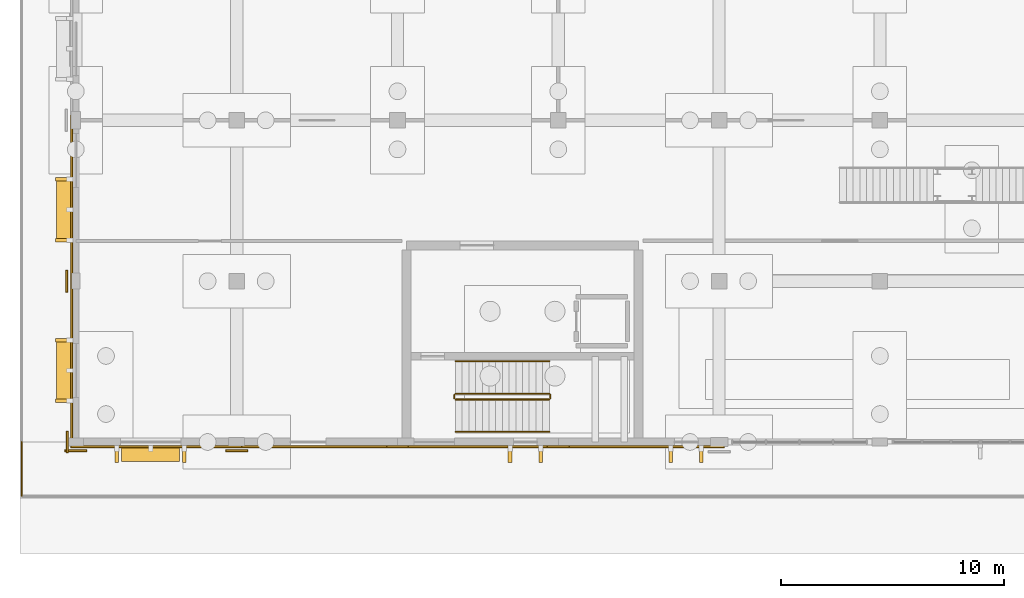
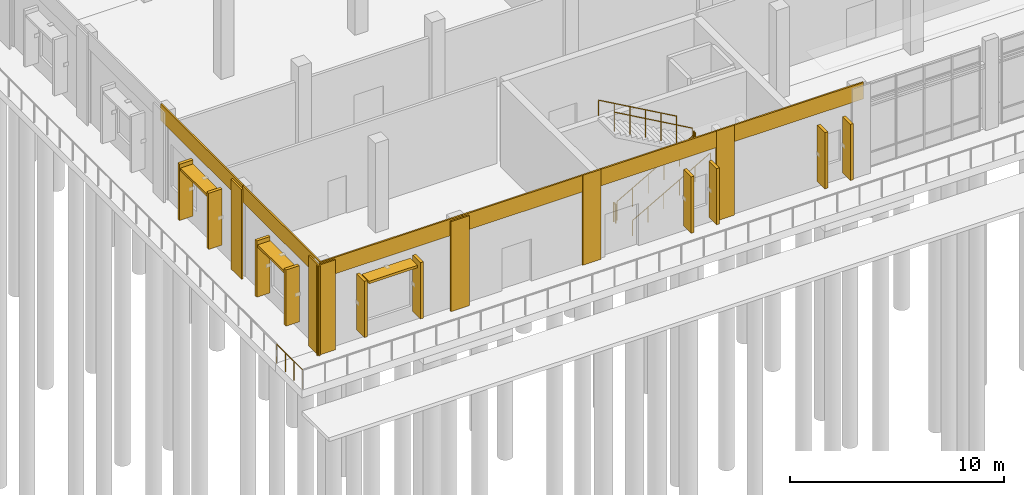
# One storey, part 78 of 94: 13 shading devices, 12 coverings, 7 railings.
"""IFC4 building model written with IfcOpenShell, lengths in metres."""

from ifc_helpers import new_model, si_unit, direction, frame, origin, origin_2d, place, context, subcontext, project, spatial, rectangle, circle, extrude, material, layer, layer_set, type_object, element, save


model = new_model("IFC4")

# Units and contexts
model_context = context("Model", 3, precision=1e-05, world=origin(), true_north=direction((0.0, 1.0)))
body_context = subcontext(model_context, "Body", "Model", "MODEL_VIEW")
ifc_project = project(units=[si_unit("LENGTHUNIT", "METRE"), si_unit("AREAUNIT", "SQUARE_METRE"), si_unit("VOLUMEUNIT", "CUBIC_METRE"), si_unit("PLANEANGLEUNIT", "RADIAN"), si_unit("MASSUNIT", "GRAM", prefix="KILO")], contexts=[model_context])

# Site, building, storey
site_placement = place(None, origin())
site = spatial("IfcSite", under=ifc_project, at=site_placement, CompositionType="ELEMENT")
building_placement = place(site_placement, origin())
building = spatial("IfcBuilding", under=site, at=building_placement, Name="Vervanel Yard Central Library", CompositionType="ELEMENT")
storey_placement = place(building_placement, origin())
storey = spatial("IfcBuildingStorey", under=building, at=storey_placement, Name="L00", CompositionType="ELEMENT", Elevation=0.0)

# Railings
ifc_material_1 = material(Name="Brushed stainless steel AISI 316", Category="steel")
railing_type_1 = type_object("IfcRailingType", Name="Brushed Stainless Stair Handrail 900", PredefinedType="HANDRAIL", material=ifc_material_1)
railing_1_placement = place(storey_placement, frame((17.0, 0.449951171875, 0.169921875)))
element("IfcRailing", 1, at=railing_1_placement, inside=storey, type_object=railing_type_1, Name="L00 ST-04 stair handrail 1", PredefinedType="HANDRAIL", context=body_context, shape_type="SweptSolid", body=[
    extrude(circle(Radius=0.02392578125, at=origin_2d()), frame((0.0, 0.0, 0.8759765625), z_axis=(0.870008446991, 0.0, 0.493036816236), x_axis=(0.0, 1.0, 0.0)), (0.0, 0.0, 1.0), 4.827392578125),
    extrude(circle(Radius=0.02099609375, at=origin_2d()), origin(), (0.0, 0.0, 1.0), 0.851806640625),
    extrude(circle(Radius=0.02099609375, at=origin_2d()), frame((0.840087890625, 0.0, 0.47607421875)), (0.0, 0.0, 1.0), 0.851806640625),
    extrude(circle(Radius=0.02099609375, at=origin_2d()), frame((1.679931640625, 0.0, 0.9521484375)), (0.0, 0.0, 1.0), 0.851806640625),
    extrude(circle(Radius=0.02099609375, at=origin_2d()), frame((2.52001953125, 0.0, 1.427978515625)), (0.0, 0.0, 1.0), 0.851806640625),
    extrude(circle(Radius=0.02099609375, at=origin_2d()), frame((3.35986328125, 0.0, 1.904052734375)), (0.0, 0.0, 1.0), 0.851806640625),
    extrude(circle(Radius=0.02099609375, at=origin_2d()), frame((4.199951171875, 0.0, 2.380126953125)), (0.0, 0.0, 1.0), 0.851806640625),
])
railing_2_placement = place(storey_placement, frame((21.199951171875, 3.610107421875, 2.719970703125)))
element("IfcRailing", 2, at=railing_2_placement, inside=storey, type_object=railing_type_1, Name="L00 ST-04 stair handrail 2", PredefinedType="HANDRAIL", context=body_context, shape_type="SweptSolid", body=[
    extrude(circle(Radius=0.02392578125, at=origin_2d()), frame((0.0, 0.0, 0.8759765625), z_axis=(-0.870008446991, 0.0, 0.493036816236), x_axis=(0.0, -1.0, 0.0)), (0.0, 0.0, 1.0), 4.827392578125),
    extrude(circle(Radius=0.02099609375, at=origin_2d()), origin(), (0.0, 0.0, 1.0), 0.851806640625),
    extrude(circle(Radius=0.02099609375, at=origin_2d()), frame((-0.840087890625, 0.0, 0.47607421875)), (0.0, 0.0, 1.0), 0.851806640625),
    extrude(circle(Radius=0.02099609375, at=origin_2d()), frame((-1.679931640625, 0.0, 0.9521484375)), (0.0, 0.0, 1.0), 0.851806640625),
    extrude(circle(Radius=0.02099609375, at=origin_2d()), frame((-2.52001953125, 0.0, 1.427978515625)), (0.0, 0.0, 1.0), 0.851806640625),
    extrude(circle(Radius=0.02099609375, at=origin_2d()), frame((-3.35986328125, 0.0, 1.904052734375)), (0.0, 0.0, 1.0), 0.851806640625),
    extrude(circle(Radius=0.02099609375, at=origin_2d()), frame((-4.199951171875, 0.0, 2.380126953125)), (0.0, 0.0, 1.0), 0.851806640625),
])

# Coverings
ifc_material_2 = material(Name="Precast concrete C45/55", Category="concrete")
ifc_layer = layer(ifc_material_2, 0.0849609375, Category="concrete")
ifc_layer_set = layer_set([ifc_layer], Name="Precast concrete C45/55")
covering_type = type_object("IfcCoveringType", Name="Bush-Hammered Precast Architectural Cladding Panel", PredefinedType="CLADDING", material=ifc_layer_set)
covering_1_placement = place(storey_placement, frame((3.60009765625, -0.2099609375, 4.179931640625), z_axis=(0.0, 0.0, 1.0), x_axis=(1.0, 0.0, 0.0)))
element("IfcCovering", 3, at=covering_1_placement, inside=storey, type_object=covering_type, Name="L00 Precast Concrete Spandrel Cornice EWALL-L00-0213", PredefinedType="CLADDING", context=body_context, shape_type="SweptSolid", body=[
    extrude(rectangle(XDim=7.64990234375, YDim=0.0849609375, at=origin_2d()), origin(), (0.0, 0.0, 1.0), 0.93994140625),
])
for number, where, z_axis, x_axis, name in (
    (4, (0.0, -0.392578125, 0.0), (0.0, 0.0, 1.0), (1.0, 0.0, 0.0), "L00 Precast Concrete Pier Pilaster EWALL-L00-0213-A"),
    (5, (7.199951171875, -0.402587890625, 0.0), (0.0, 0.0, 1.0), (1.0, 0.0, 0.0), "L00 Precast Concrete Pier Pilaster EWALL-L00-0213-B"),
):
    element("IfcCovering", number, at=place(storey_placement, frame(where, z_axis=z_axis, x_axis=x_axis)), inside=storey, type_object=covering_type, Name=name, PredefinedType="CLADDING", context=body_context, shape_type="SweptSolid", body=[
        extrude(rectangle(XDim=0.97998046875, YDim=0.0849609375, at=origin_2d()), origin(), (0.0, 0.0, 1.0), 5.1201171875),
    ])
covering_2_placement = place(storey_placement, frame((10.800048828125, -0.2099609375, 4.179931640625), z_axis=(0.0, 0.0, 1.0), x_axis=(1.0, 0.0, 0.0)))
element("IfcCovering", 6, at=covering_2_placement, inside=storey, type_object=covering_type, Name="L00 Precast Concrete Spandrel Cornice EWALL-L00-0214", PredefinedType="CLADDING", context=body_context, shape_type="SweptSolid", body=[
    extrude(rectangle(XDim=7.64990234375, YDim=0.0849609375, at=origin_2d()), origin(), (0.0, 0.0, 1.0), 0.93994140625),
])
covering_3_placement = place(storey_placement, frame((14.39990234375, -0.21240234375, 0.0), z_axis=(0.0, 0.0, 1.0), x_axis=(1.0, 0.0, 0.0)))
element("IfcCovering", 7, at=covering_3_placement, inside=storey, type_object=covering_type, Name="L00 Precast Concrete Pier Pilaster EWALL-L00-0214-B", PredefinedType="CLADDING", context=body_context, shape_type="SweptSolid", body=[
    extrude(rectangle(XDim=0.97998046875, YDim=0.0849609375, at=origin_2d()), origin(), (0.0, 0.0, 1.0), 5.1201171875),
])
covering_4_placement = place(storey_placement, frame((18.0, -0.2099609375, 4.179931640625), z_axis=(0.0, 0.0, 1.0), x_axis=(1.0, 0.0, 0.0)))
element("IfcCovering", 8, at=covering_4_placement, inside=storey, type_object=covering_type, Name="L00 Precast Concrete Spandrel Cornice EWALL-L00-0215", PredefinedType="CLADDING", context=body_context, shape_type="SweptSolid", body=[
    extrude(rectangle(XDim=7.64990234375, YDim=0.0849609375, at=origin_2d()), origin(), (0.0, 0.0, 1.0), 0.93994140625),
])
covering_5_placement = place(storey_placement, frame((21.60009765625, -0.21240234375, 0.0), z_axis=(0.0, 0.0, 1.0), x_axis=(1.0, 0.0, 0.0)))
element("IfcCovering", 9, at=covering_5_placement, inside=storey, type_object=covering_type, Name="L00 Precast Concrete Pier Pilaster EWALL-L00-0215-B", PredefinedType="CLADDING", context=body_context, shape_type="SweptSolid", body=[
    extrude(rectangle(XDim=0.97998046875, YDim=0.0849609375, at=origin_2d()), origin(), (0.0, 0.0, 1.0), 5.1201171875),
])
for number, where, z_axis, x_axis, name in (
    (10, (25.199951171875, -0.2099609375, 4.179931640625), (0.0, 0.0, 1.0), (1.0, 0.0, 0.0), "L00 Precast Concrete Spandrel Cornice EWALL-L00-0216"),
    (11, (-0.18994140625, 3.60009765625, 4.179931640625), (0.0, 0.0, 1.0), (0.0, 1.0, 0.0), "L00 Precast Concrete Spandrel Cornice EWALL-L00-0217"),
):
    element("IfcCovering", number, at=place(storey_placement, frame(where, z_axis=z_axis, x_axis=x_axis)), inside=storey, type_object=covering_type, Name=name, PredefinedType="CLADDING", context=body_context, shape_type="SweptSolid", body=[
        extrude(rectangle(XDim=7.64990234375, YDim=0.0849609375, at=origin_2d()), origin(), (0.0, 0.0, 1.0), 0.93994140625),
    ])
for number, where, z_axis, x_axis, name in (
    (12, (-0.392578125, 0.0, 0.0), (0.0, 0.0, 1.0), (0.0, 1.0, 0.0), "L00 Precast Concrete Pier Pilaster EWALL-L00-0217-A"),
    (13, (-0.402587890625, 7.199951171875, 0.0), (0.0, 0.0, 1.0), (0.0, 1.0, 0.0), "L00 Precast Concrete Pier Pilaster EWALL-L00-0217-B"),
):
    element("IfcCovering", number, at=place(storey_placement, frame(where, z_axis=z_axis, x_axis=x_axis)), inside=storey, type_object=covering_type, Name=name, PredefinedType="CLADDING", context=body_context, shape_type="SweptSolid", body=[
        extrude(rectangle(XDim=0.97998046875, YDim=0.0849609375, at=origin_2d()), origin(), (0.0, 0.0, 1.0), 5.1201171875),
    ])
covering_6_placement = place(storey_placement, frame((-0.18994140625, 10.800048828125, 4.179931640625), z_axis=(0.0, 0.0, 1.0), x_axis=(0.0, 1.0, 0.0)))
element("IfcCovering", 14, at=covering_6_placement, inside=storey, type_object=covering_type, Name="L00 Precast Concrete Spandrel Cornice EWALL-L00-0218", PredefinedType="CLADDING", context=body_context, shape_type="SweptSolid", body=[
    extrude(rectangle(XDim=7.64990234375, YDim=0.0849609375, at=origin_2d()), origin(), (0.0, 0.0, 1.0), 0.93994140625),
])

# Railing
railing_type_2 = type_object("IfcRailingType", Name="Exterior Terrace Guardrail 1100", PredefinedType="GUARDRAIL", material=ifc_material_1)
railing_3_placement = place(storey_placement, frame((-2.419921875, -2.419921875, 0.0)))
element("IfcRailing", 15, at=railing_3_placement, inside=storey, type_object=railing_type_2, Name="L00 South Boulevard Plinth Promenade Edge Guard 11", PredefinedType="GUARDRAIL", context=body_context, shape_type="SweptSolid", body=[
    extrude(circle(Radius=0.02392578125, at=origin_2d()), frame((0.0, 0.0, 1.076171875), z_axis=(0.0, 1.0, 0.0), x_axis=(-1.0, 0.0, 0.0)), (0.0, 0.0, 1.0), 2.419921875),
    extrude(circle(Radius=0.02099609375, at=origin_2d()), origin(), (0.0, 0.0, 1.0), 1.052001953125),
    extrude(circle(Radius=0.02099609375, at=origin_2d()), frame((0.0, 0.806640625, 0.0)), (0.0, 0.0, 1.0), 1.052001953125),
    extrude(circle(Radius=0.02099609375, at=origin_2d()), frame((0.0, 1.61328125, 0.0)), (0.0, 0.0, 1.0), 1.052001953125),
    extrude(circle(Radius=0.02099609375, at=origin_2d()), frame((0.0, 2.419921875, 0.0)), (0.0, 0.0, 1.0), 1.052001953125),
])

# Shading devices
shading_device_type_1 = type_object("IfcShadingDeviceType", Name="Horizontal Precast Brise-Soleil Sunhood 2600x680x140", PredefinedType="JALOUSIE", material=ifc_material_2)
for number, where, z_axis, x_axis, name in (
    (16, (3.35009765625, -0.5400390625, 3.47998046875), (0.0, 0.0, 1.0), (1.0, 0.0, 0.0), "L00 Precast Horizontal Sunhood 121"),
    (17, (-0.52001953125, 3.199951171875, 3.330078125), (0.0, 0.0, 1.0), (0.0, 1.0, 0.0), "L00 Precast Horizontal Sunhood 122"),
    (18, (-0.52001953125, 10.39990234375, 3.330078125), (0.0, 0.0, 1.0), (0.0, 1.0, 0.0), "L00 Precast Horizontal Sunhood 123"),
):
    element("IfcShadingDevice", number, at=place(storey_placement, frame(where, z_axis=z_axis, x_axis=x_axis)), inside=storey, type_object=shading_device_type_1, Name=name, PredefinedType="JALOUSIE", context=body_context, shape_type="SweptSolid", body=[
        extrude(rectangle(XDim=2.60009765625, YDim=0.679931640625, at=origin_2d()), origin(), (0.0, 0.0, 1.0), 0.139892578125),
    ])

# Railings
ifc_material_3 = material(Name="Galvanized painted steelwork ASTM A500 Grade C", Category="steel")
railing_type_3 = type_object("IfcRailingType", Name="Painted Steel Guardrail 1100", PredefinedType="GUARDRAIL", material=ifc_material_3)
railing_4_placement = place(storey_placement, frame((17.0, 1.89990234375, 0.169921875)))
element("IfcRailing", 19, at=railing_4_placement, inside=storey, type_object=railing_type_3, Name="L00 ST-04 stair guard 1", PredefinedType="GUARDRAIL", context=body_context, shape_type="SweptSolid", body=[
    extrude(circle(Radius=0.02392578125, at=origin_2d()), frame((0.0, 0.0, 1.076171875), z_axis=(0.870008446991, 0.0, 0.493036816236), x_axis=(0.0, 1.0, 0.0)), (0.0, 0.0, 1.0), 4.827392578125),
    extrude(circle(Radius=0.02099609375, at=origin_2d()), origin(), (0.0, 0.0, 1.0), 1.052001953125),
    extrude(circle(Radius=0.02099609375, at=origin_2d()), frame((0.840087890625, 0.0, 0.47607421875)), (0.0, 0.0, 1.0), 1.052001953125),
    extrude(circle(Radius=0.02099609375, at=origin_2d()), frame((1.679931640625, 0.0, 0.9521484375)), (0.0, 0.0, 1.0), 1.052001953125),
    extrude(circle(Radius=0.02099609375, at=origin_2d()), frame((2.52001953125, 0.0, 1.427978515625)), (0.0, 0.0, 1.0), 1.052001953125),
    extrude(circle(Radius=0.02099609375, at=origin_2d()), frame((3.35986328125, 0.0, 1.904052734375)), (0.0, 0.0, 1.0), 1.052001953125),
    extrude(circle(Radius=0.02099609375, at=origin_2d()), frame((4.199951171875, 0.0, 2.380126953125)), (0.0, 0.0, 1.0), 1.052001953125),
])
railing_5_placement = place(storey_placement, frame((21.25, 1.949951171875, 2.550048828125)))
element("IfcRailing", 20, at=railing_5_placement, inside=storey, type_object=railing_type_3, Name="L00 ST-04 stair guard 2", PredefinedType="GUARDRAIL", context=body_context, shape_type="SweptSolid", body=[
    extrude(circle(Radius=0.02392578125, at=origin_2d()), frame((0.0, 0.0, 1.076171875), z_axis=(0.0, 1.0, 0.0), x_axis=(-1.0, 0.0, 0.0)), (0.0, 0.0, 1.0), 0.16015625),
    extrude(circle(Radius=0.02099609375, at=origin_2d()), origin(), (0.0, 0.0, 1.0), 1.052001953125),
    extrude(circle(Radius=0.02099609375, at=origin_2d()), frame((0.0, 0.16015625, 0.0)), (0.0, 0.0, 1.0), 1.052001953125),
])
railing_6_placement = place(storey_placement, frame((21.199951171875, 2.159912109375, 2.719970703125)))
element("IfcRailing", 21, at=railing_6_placement, inside=storey, type_object=railing_type_3, Name="L00 ST-04 stair guard 3", PredefinedType="GUARDRAIL", context=body_context, shape_type="SweptSolid", body=[
    extrude(circle(Radius=0.02392578125, at=origin_2d()), frame((0.0, 0.0, 1.076171875), z_axis=(-0.870008446991, 0.0, 0.493036816236), x_axis=(0.0, -1.0, 0.0)), (0.0, 0.0, 1.0), 4.827392578125),
    extrude(circle(Radius=0.02099609375, at=origin_2d()), origin(), (0.0, 0.0, 1.0), 1.052001953125),
    extrude(circle(Radius=0.02099609375, at=origin_2d()), frame((-0.840087890625, 0.0, 0.47607421875)), (0.0, 0.0, 1.0), 1.052001953125),
    extrude(circle(Radius=0.02099609375, at=origin_2d()), frame((-1.679931640625, 0.0, 0.9521484375)), (0.0, 0.0, 1.0), 1.052001953125),
    extrude(circle(Radius=0.02099609375, at=origin_2d()), frame((-2.52001953125, 0.0, 1.427978515625)), (0.0, 0.0, 1.0), 1.052001953125),
    extrude(circle(Radius=0.02099609375, at=origin_2d()), frame((-3.35986328125, 0.0, 1.904052734375)), (0.0, 0.0, 1.0), 1.052001953125),
    extrude(circle(Radius=0.02099609375, at=origin_2d()), frame((-4.199951171875, 0.0, 2.380126953125)), (0.0, 0.0, 1.0), 1.052001953125),
])
railing_7_placement = place(storey_placement, frame((16.949951171875, 1.949951171875, 0.0)))
element("IfcRailing", 22, at=railing_7_placement, inside=storey, type_object=railing_type_3, Name="L00 ST-04 stair guard 4", PredefinedType="GUARDRAIL", context=body_context, shape_type="SweptSolid", body=[
    extrude(circle(Radius=0.02392578125, at=origin_2d()), frame((0.0, 0.0, 1.076171875), z_axis=(0.0, 1.0, 0.0), x_axis=(-1.0, 0.0, 0.0)), (0.0, 0.0, 1.0), 0.16015625),
    extrude(circle(Radius=0.02099609375, at=origin_2d()), origin(), (0.0, 0.0, 1.0), 1.052001953125),
    extrude(circle(Radius=0.02099609375, at=origin_2d()), frame((0.0, 0.16015625, 0.0)), (0.0, 0.0, 1.0), 1.052001953125),
])

# Shading devices
shading_device_type_2 = type_object("IfcShadingDeviceType", Name="Vertical Precast Solar Fin 160x720x3200", PredefinedType="JALOUSIE", material=ifc_material_2)
for number, where, z_axis, x_axis, name in (
    (23, (1.840087890625, -0.570068359375, 0.5498046875), (0.0, 0.0, 1.0), (1.0, 0.0, 0.0), "L00 Precast Solar Fin 614"),
    (24, (4.860107421875, -0.570068359375, 0.5498046875), (0.0, 0.0, 1.0), (1.0, 0.0, 0.0), "L00 Precast Solar Fin 615"),
    (25, (19.43994140625, -0.570068359375, 0.3251953125), (0.0, 0.0, 1.0), (1.0, 0.0, 0.0), "L00 Precast Solar Fin 616"),
    (26, (20.81005859375, -0.570068359375, 0.3251953125), (0.0, 0.0, 1.0), (1.0, 0.0, 0.0), "L00 Precast Solar Fin 617"),
    (27, (26.639892578125, -0.570068359375, 0.3251953125), (0.0, 0.0, 1.0), (1.0, 0.0, 0.0), "L00 Precast Solar Fin 618"),
    (28, (28.010009765625, -0.570068359375, 0.3251953125), (0.0, 0.0, 1.0), (1.0, 0.0, 0.0), "L00 Precast Solar Fin 619"),
    (29, (-0.550048828125, 1.840087890625, 0.5), (0.0, 0.0, 1.0), (0.0, 1.0, 0.0), "L00 Precast Solar Fin 621"),
    (30, (-0.550048828125, 4.56005859375, 0.5), (0.0, 0.0, 1.0), (0.0, 1.0, 0.0), "L00 Precast Solar Fin 622"),
    (31, (-0.550048828125, 9.0400390625, 0.5), (0.0, 0.0, 1.0), (0.0, 1.0, 0.0), "L00 Precast Solar Fin 623"),
    (32, (-0.550048828125, 11.760009765625, 0.5), (0.0, 0.0, 1.0), (0.0, 1.0, 0.0), "L00 Precast Solar Fin 624"),
):
    element("IfcShadingDevice", number, at=place(storey_placement, frame(where, z_axis=z_axis, x_axis=x_axis)), inside=storey, type_object=shading_device_type_2, Name=name, PredefinedType="JALOUSIE", context=body_context, shape_type="SweptSolid", body=[
        extrude(rectangle(XDim=0.159912109375, YDim=0.719970703125, at=origin_2d()), origin(), (0.0, 0.0, 1.0), 3.199951171875),
    ])

save(model, "model.ifc")
